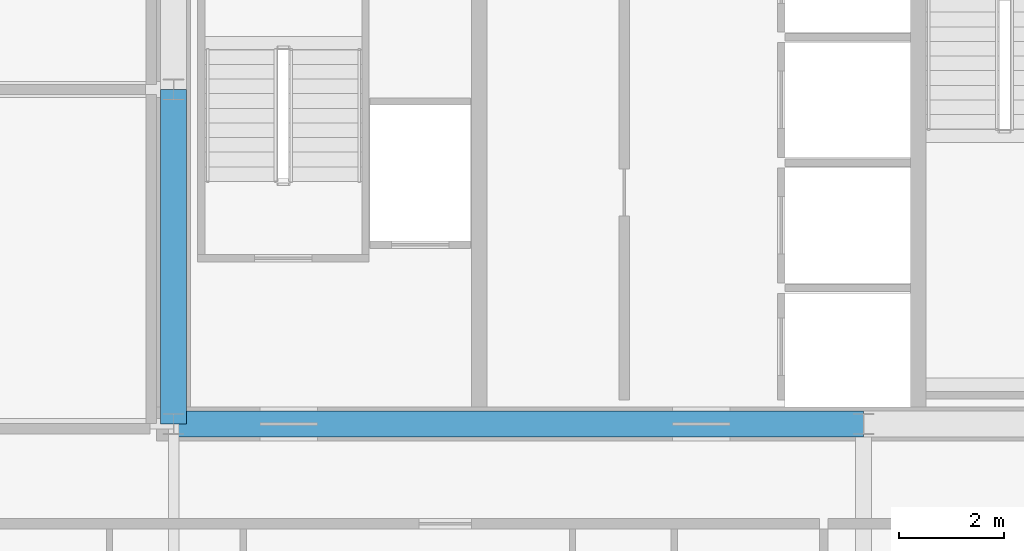
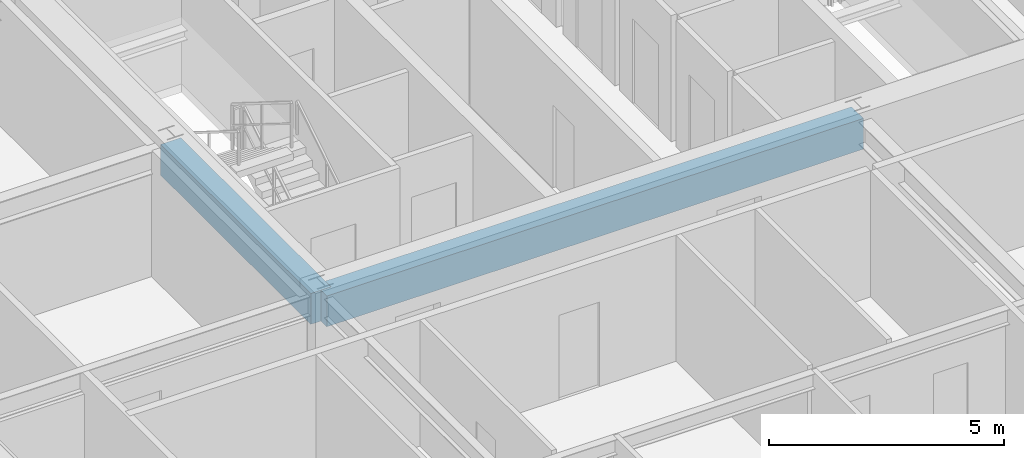
# One storey, part 17 of 45: 2 beams.
"""IFC4 building model written with IfcOpenShell, lengths in metres."""

from ifc_helpers import new_model, si_unit, direction, frame, origin, origin_2d, place, context, subcontext, project, spatial, rectangle, extrude, source, transform, mapped, material, material_profile, profile_set, type_object, element, save


model = new_model("IFC4")

# Units and contexts
model_context = context("Model", 3, precision=1e-05, world=origin(), true_north=direction((0.0, 1.0)))
body_context = subcontext(model_context, "Body", "Model", "MODEL_VIEW")
ifc_project = project(units=[si_unit("LENGTHUNIT", "METRE"), si_unit("AREAUNIT", "SQUARE_METRE"), si_unit("VOLUMEUNIT", "CUBIC_METRE"), si_unit("PLANEANGLEUNIT", "RADIAN"), si_unit("MASSUNIT", "GRAM", prefix="KILO"), si_unit("THERMODYNAMICTEMPERATUREUNIT", "KELVIN"), si_unit("POWERUNIT", "WATT")], contexts=[model_context])

# Site, building, storey
site_placement = place(None, origin())
site = spatial("IfcSite", under=ifc_project, at=site_placement, CompositionType="ELEMENT")
building_placement = place(site_placement, origin())
building = spatial("IfcBuilding", under=site, at=building_placement, Name="Yuzanri Waterfront Tower", CompositionType="ELEMENT")
storey_placement = place(building_placement, frame((0.0, 0.0, 198.5)))
storey = spatial("IfcBuildingStorey", under=building, at=storey_placement, Name="L52", CompositionType="ELEMENT", Elevation=198.5)

# Beams
ifc_material = material(Name="Concrete C50", Category="concrete")
ifc_material_profile = material_profile(ifc_material, rectangle(XDim=0.5, YDim=0.800048828125, at=origin_2d()), Name="RC 500x800")
ifc_profile_set = profile_set([ifc_material_profile], Name="Concrete C50")
beam_type = type_object("IfcBeamType", Name="Core Coupling Lintel Concrete C50 500x800", PredefinedType="LINTEL", material=ifc_profile_set)
shared_shape_1 = source(origin(), body_context, "Body", "SweptSolid", [
    extrude(rectangle(XDim=0.5, YDim=0.800048828125, at=origin_2d()), origin(), (0.0, 0.0, 1.0), 13.199951171875),
])
beam_1_placement = place(storey_placement, frame((23.800048828125, 19.39990234375, 2.8798828125), z_axis=(1.0, 0.0, 0.0), x_axis=(0.0, 1.0, 0.0)))
element("IfcBeam", 1, at=beam_1_placement, inside=storey, type_object=beam_type, Name="L52 Core Tie Beam CS1", PredefinedType="LINTEL", context=body_context, shape_type="MappedRepresentation", body=[
    mapped(shared_shape_1, transform((0.0, 0.0, 0.0), scale=1.0)),
])
shared_shape_2 = source(origin(), body_context, "Body", "SweptSolid", [
    extrude(rectangle(XDim=0.5, YDim=0.800048828125, at=origin_2d()), origin(), (0.0, 0.0, 1.0), 6.400146484375),
])
beam_2_placement = place(storey_placement, frame((23.800048828125, 19.39990234375, 2.8798828125), z_axis=(0.0, 1.0, 0.0), x_axis=(-1.0, 0.0, 0.0)))
element("IfcBeam", 2, at=beam_2_placement, inside=storey, type_object=beam_type, Name="L52 Core Tie Beam CW1", PredefinedType="LINTEL", context=body_context, shape_type="MappedRepresentation", body=[
    mapped(shared_shape_2, transform((0.0, 0.0, 0.0), scale=1.0)),
])

save(model, "model.ifc")
